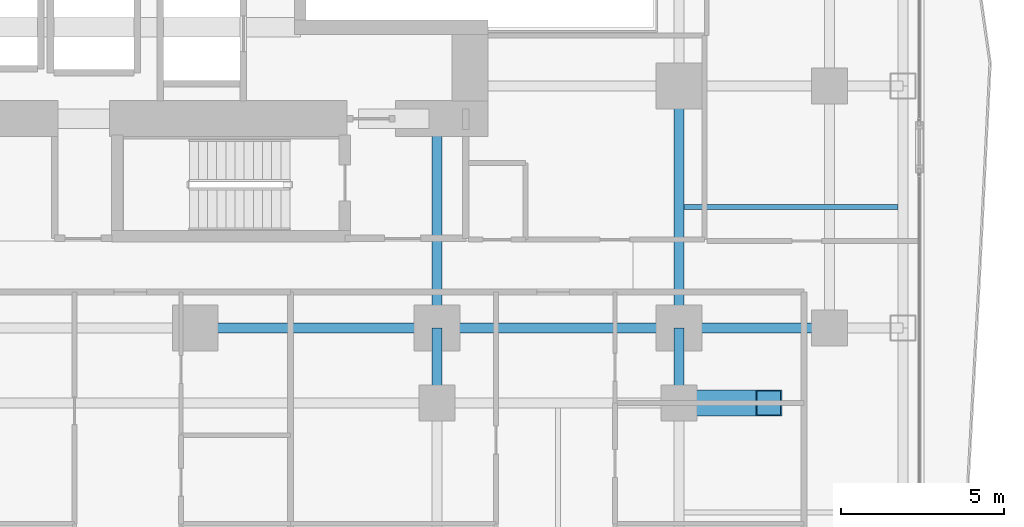
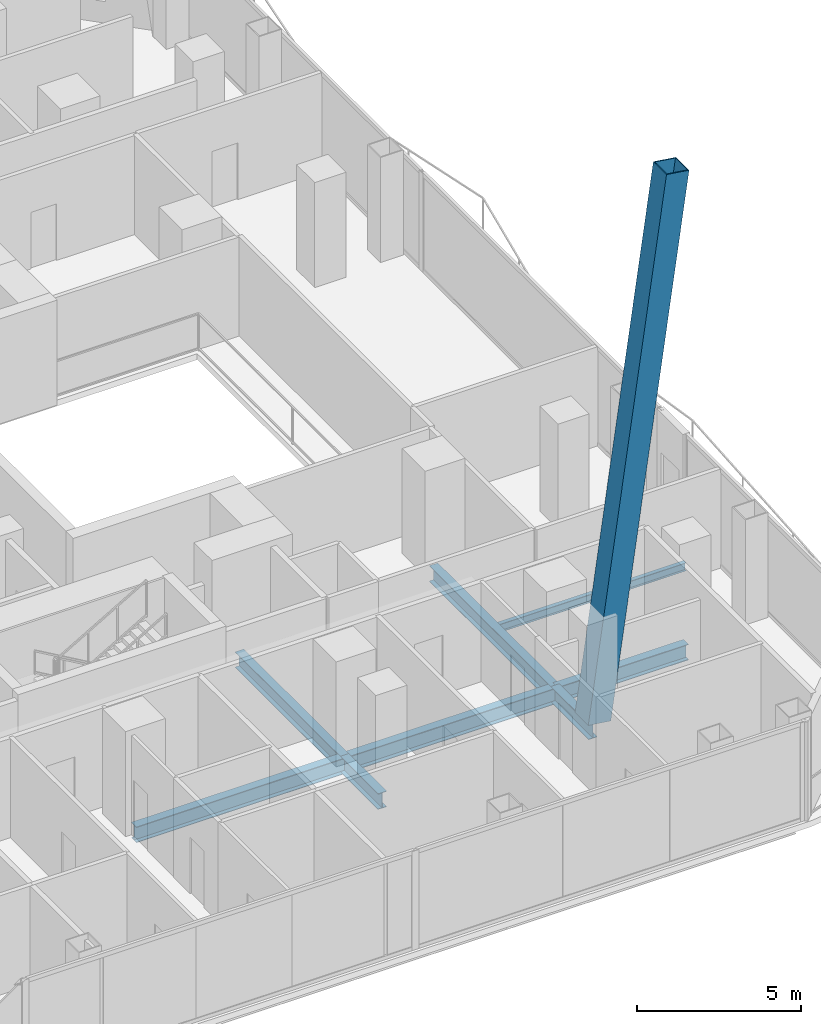
# One storey, part 9 of 33: 8 beams, 1 member.
"""IFC4 building model written with IfcOpenShell, lengths in metres."""

from ifc_helpers import new_model, si_unit, direction, frame, origin, origin_2d, place, context, subcontext, project, spatial, hollow_rectangle, i_section, extrude, material, material_profile, profile_set, type_object, element, save


model = new_model("IFC4")

# Units and contexts
model_context = context("Model", 3, precision=1e-05, world=origin(), true_north=direction((0.0, 1.0)))
body_context = subcontext(model_context, "Body", "Model", "MODEL_VIEW")
ifc_project = project(units=[si_unit("LENGTHUNIT", "METRE"), si_unit("AREAUNIT", "SQUARE_METRE"), si_unit("VOLUMEUNIT", "CUBIC_METRE"), si_unit("PLANEANGLEUNIT", "RADIAN"), si_unit("MASSUNIT", "GRAM", prefix="KILO")], contexts=[model_context])

# Site, building, storey
site_placement = place(None, origin())
site = spatial("IfcSite", under=ifc_project, at=site_placement, CompositionType="ELEMENT")
building_placement = place(site_placement, origin())
building = spatial("IfcBuilding", under=site, at=building_placement, Name="Khorvyn Point Tower", CompositionType="ELEMENT")
storey_placement = place(building_placement, frame((0.0, 0.0, 65.699951171875)))
storey = spatial("IfcBuildingStorey", under=building, at=storey_placement, Name="L17", CompositionType="ELEMENT", Elevation=65.699951171875)

# Beams
ifc_material_1 = material(Name="Steel S355", Category="steel")
ifc_material_profile_1 = material_profile(ifc_material_1, i_section(OverallWidth=0.300048828125, OverallDepth=0.587890625, WebThickness=0.011962890625, FlangeThickness=0.02001953125, at=origin_2d()))
ifc_profile_set_1 = profile_set([ifc_material_profile_1], Name="Steel S355 H588x300x12x20")
beam_type_1 = type_object("IfcBeamType", Name="Steel S355 Beam H588x300x12x20", PredefinedType="BEAM", material=ifc_profile_set_1)
beam_1_placement = place(storey_placement, frame((0.0, -14.800048828125, -0.513916015625), z_axis=(1.0, 0.0, 0.0), x_axis=(0.0, 1.0, 0.0)))
element("IfcBeam", 1, at=beam_1_placement, inside=storey, type_object=beam_type_1, Name="Beam", PredefinedType="BEAM", context=body_context, shape_type="SweptSolid", body=[
    extrude(i_section(OverallWidth=0.300048828125, OverallDepth=0.587890625, WebThickness=0.011962890625, FlangeThickness=0.02001953125, at=origin_2d()), origin(), (0.0, 0.0, 1.0), 7.39990234375),
])
beam_2_placement = place(storey_placement, frame((7.39990234375, -14.800048828125, -0.513916015625), z_axis=(1.0, 0.0, 0.0), x_axis=(0.0, 1.0, 0.0)))
element("IfcBeam", 2, at=beam_2_placement, inside=storey, type_object=beam_type_1, Name="Beam", PredefinedType="BEAM", context=body_context, shape_type="SweptSolid", body=[
    extrude(i_section(OverallWidth=0.300048828125, OverallDepth=0.587890625, WebThickness=0.011962890625, FlangeThickness=0.02001953125, at=origin_2d()), origin(), (0.0, 0.0, 1.0), 7.400146484375),
])
beam_3_placement = place(storey_placement, frame((14.800048828125, -14.800048828125, -0.513916015625), z_axis=(1.0, 0.0, 0.0), x_axis=(0.0, 1.0, 0.0)))
element("IfcBeam", 3, at=beam_3_placement, inside=storey, type_object=beam_type_1, Name="Beam", PredefinedType="BEAM", context=body_context, shape_type="SweptSolid", body=[
    extrude(i_section(OverallWidth=0.300048828125, OverallDepth=0.587890625, WebThickness=0.011962890625, FlangeThickness=0.02001953125, at=origin_2d()), origin(), (0.0, 0.0, 1.0), 4.599853515625),
])
beam_4_placement = place(storey_placement, frame((14.800048828125, -17.10009765625, -0.513916015625), z_axis=(0.0, 1.0, 0.0), x_axis=(-1.0, 0.0, 0.0)))
element("IfcBeam", 4, at=beam_4_placement, inside=storey, type_object=beam_type_1, Name="Beam", PredefinedType="BEAM", context=body_context, shape_type="SweptSolid", body=[
    extrude(i_section(OverallWidth=0.300048828125, OverallDepth=0.587890625, WebThickness=0.011962890625, FlangeThickness=0.02001953125, at=origin_2d()), origin(), (0.0, 0.0, 1.0), 2.300048828125),
])
beam_5_placement = place(storey_placement, frame((14.800048828125, -14.800048828125, -0.513916015625), z_axis=(0.0, 1.0, 0.0), x_axis=(-1.0, 0.0, 0.0)))
element("IfcBeam", 5, at=beam_5_placement, inside=storey, type_object=beam_type_1, Name="Beam", PredefinedType="BEAM", context=body_context, shape_type="SweptSolid", body=[
    extrude(i_section(OverallWidth=0.300048828125, OverallDepth=0.587890625, WebThickness=0.011962890625, FlangeThickness=0.02001953125, at=origin_2d()), origin(), (0.0, 0.0, 1.0), 7.400146484375),
])
beam_6_placement = place(storey_placement, frame((7.39990234375, -17.10009765625, -0.513916015625), z_axis=(0.0, 1.0, 0.0), x_axis=(-1.0, 0.0, 0.0)))
element("IfcBeam", 6, at=beam_6_placement, inside=storey, type_object=beam_type_1, Name="Beam", PredefinedType="BEAM", context=body_context, shape_type="SweptSolid", body=[
    extrude(i_section(OverallWidth=0.300048828125, OverallDepth=0.587890625, WebThickness=0.011962890625, FlangeThickness=0.02001953125, at=origin_2d()), origin(), (0.0, 0.0, 1.0), 2.300048828125),
])
beam_7_placement = place(storey_placement, frame((7.39990234375, -14.800048828125, -0.513916015625), z_axis=(0.0, 1.0, 0.0), x_axis=(-1.0, 0.0, 0.0)))
element("IfcBeam", 7, at=beam_7_placement, inside=storey, type_object=beam_type_1, Name="Beam", PredefinedType="BEAM", context=body_context, shape_type="SweptSolid", body=[
    extrude(i_section(OverallWidth=0.300048828125, OverallDepth=0.587890625, WebThickness=0.011962890625, FlangeThickness=0.02001953125, at=origin_2d()), origin(), (0.0, 0.0, 1.0), 6.400146484375),
])
ifc_material_profile_2 = material_profile(ifc_material_1, i_section(OverallWidth=0.14990234375, OverallDepth=0.300048828125, WebThickness=0.006591796875, FlangeThickness=0.009033203125, at=origin_2d()))
ifc_profile_set_2 = profile_set([ifc_material_profile_2], Name="Steel S355 H300x150x6.5x9")
beam_type_2 = type_object("IfcBeamType", Name="Steel S355 Joist H300x150x6.5x9", PredefinedType="JOIST", material=ifc_profile_set_2)
beam_8_placement = place(storey_placement, frame((14.949951171875, -11.10009765625, -0.369873046875), z_axis=(1.0, 0.0, 0.0), x_axis=(0.0, 1.0, 0.0)))
element("IfcBeam", 8, at=beam_8_placement, inside=storey, type_object=beam_type_2, Name="Beam", PredefinedType="JOIST", context=body_context, shape_type="SweptSolid", body=[
    extrude(i_section(OverallWidth=0.14990234375, OverallDepth=0.300048828125, WebThickness=0.006591796875, FlangeThickness=0.009033203125, at=origin_2d()), origin(), (0.0, 0.0, 1.0), 6.550048828125),
])

# Member
ifc_material_2 = material(Name="Steel S450", Category="steel")
ifc_material_profile_3 = material_profile(ifc_material_2, hollow_rectangle(XDim=0.800048828125, YDim=0.800048828125, WallThickness=0.035888671875, at=origin_2d()))
ifc_profile_set_3 = profile_set([ifc_material_profile_3], Name="Steel S450 BOX800x800x36")
member_type = type_object("IfcMemberType", Name="Steel S450 Exoskeleton Structural Post BOX800x800x36", PredefinedType="POST", material=ifc_profile_set_3)
member_placement = place(storey_placement, frame((14.800048828125, -17.10009765625, 0.0), z_axis=(0.139643843047, 0.0, 0.99020179615), x_axis=(0.0, 1.0, 0.0)))
element("IfcMember", 9, at=member_placement, inside=storey, type_object=member_type, Name="L17 to L21 Exoskeleton Transfer Post 02", PredefinedType="POST", context=body_context, shape_type="SweptSolid", body=[
    extrude(hollow_rectangle(XDim=0.800048828125, YDim=0.800048828125, WallThickness=0.035888671875, at=origin_2d()), origin(), (0.0, 0.0, 1.0), 19.69287109375),
])

save(model, "model.ifc")
